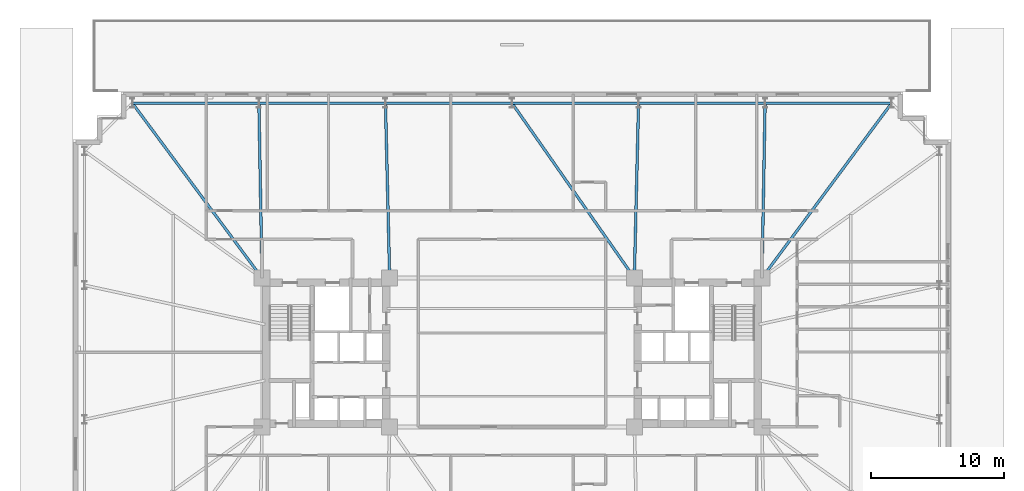
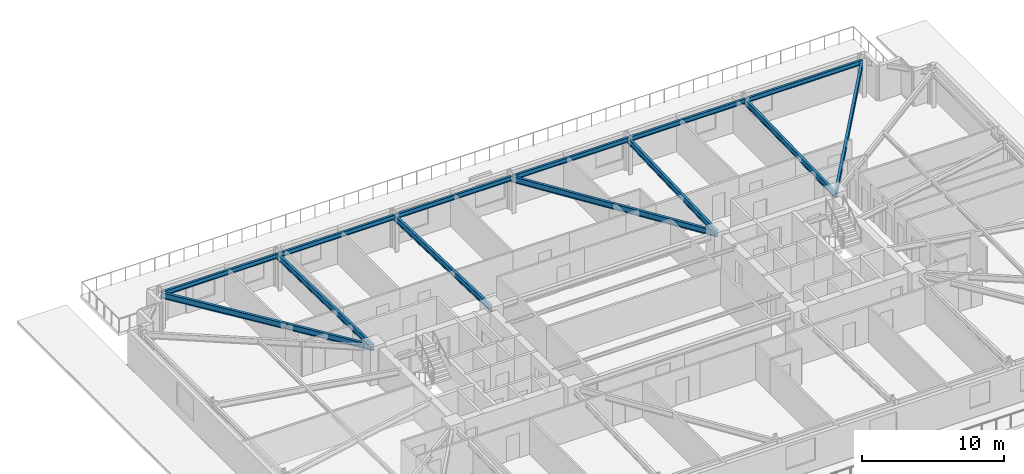
# One storey, part 7 of 21: 13 beams.
"""IFC4 building model written with IfcOpenShell, lengths in metres."""

from ifc_helpers import new_model, si_unit, direction, frame, origin, origin_2d, place, context, subcontext, project, spatial, i_section, extrude, material, material_profile, profile_set, type_object, element, save


model = new_model("IFC4")

# Units and contexts
model_context = context("Model", 3, precision=1e-05, world=origin(), true_north=direction((0.0, 1.0)))
body_context = subcontext(model_context, "Body", "Model", "MODEL_VIEW")
ifc_project = project(units=[si_unit("LENGTHUNIT", "METRE"), si_unit("AREAUNIT", "SQUARE_METRE"), si_unit("VOLUMEUNIT", "CUBIC_METRE"), si_unit("PLANEANGLEUNIT", "RADIAN"), si_unit("MASSUNIT", "GRAM", prefix="KILO")], contexts=[model_context])

# Site, building, storey
site_placement = place(None, origin())
site = spatial("IfcSite", under=ifc_project, at=site_placement, CompositionType="ELEMENT")
building_placement = place(site_placement, origin())
building = spatial("IfcBuilding", under=site, at=building_placement, Name="Qobustan Lattice House", CompositionType="ELEMENT")
storey_placement = place(building_placement, frame((0.0, 0.0, 27.0)))
storey = spatial("IfcBuildingStorey", under=building, at=storey_placement, Name="L06", CompositionType="ELEMENT", Elevation=27.0)

# Beams
ifc_material_1 = material(Name="Steel S355", Category="steel")
ifc_material_profile_1 = material_profile(ifc_material_1, i_section(OverallWidth=0.199951171875, OverallDepth=0.5, WebThickness=0.01025390625, FlangeThickness=0.01611328125, FilletRadius=0.02099609375, at=origin_2d()), Name="IPE500")
ifc_profile_set_1 = profile_set([ifc_material_profile_1], Name="Steel S355")
beam_type_1 = type_object("IfcBeamType", Name="BM-FLG-IPE500", PredefinedType="USERDEFINED", material=ifc_profile_set_1)
beam_1_placement = place(storey_placement, frame((-28.53515625, 18.72998046875, 2.784912109375), z_axis=(0.5955916815, -0.803287338956, 0.0), x_axis=(0.803287338956, 0.5955916815, 0.0)))
element("IfcBeam", 1, at=beam_1_placement, inside=storey, type_object=beam_type_1, Name="L06 primary floor girder RAD-N7W", ObjectType="GIRDER", PredefinedType="USERDEFINED", context=body_context, shape_type="SweptSolid", body=[
    extrude(i_section(OverallWidth=0.199951171875, OverallDepth=0.5, WebThickness=0.01025390625, FlangeThickness=0.01611328125, FilletRadius=0.02099609375, at=origin_2d()), origin(), (0.0, 0.0, 1.0), 16.3203125),
])
beam_2_placement = place(storey_placement, frame((-19.032958984375, 18.72509765625, 2.784912109375), z_axis=(0.017757831607, -0.999842317276, 0.0), x_axis=(0.999842317276, 0.017757831607, 0.0)))
element("IfcBeam", 2, at=beam_2_placement, inside=storey, type_object=beam_type_1, Name="L06 primary floor girder RAD-N6", ObjectType="GIRDER", PredefinedType="USERDEFINED", context=body_context, shape_type="SweptSolid", body=[
    extrude(i_section(OverallWidth=0.199951171875, OverallDepth=0.5, WebThickness=0.01025390625, FlangeThickness=0.01611328125, FilletRadius=0.02099609375, at=origin_2d()), origin(), (0.0, 0.0, 1.0), 13.10205078125),
])
beam_3_placement = place(storey_placement, frame((-9.51611328125, 18.72509765625, 2.784912109375), z_axis=(0.024071445657, -0.999710240772, 0.0), x_axis=(0.999710240772, 0.024071445657, 0.0)))
element("IfcBeam", 3, at=beam_3_placement, inside=storey, type_object=beam_type_1, Name="L06 primary floor girder RAD-N5", ObjectType="GIRDER", PredefinedType="USERDEFINED", context=body_context, shape_type="SweptSolid", body=[
    extrude(i_section(OverallWidth=0.199951171875, OverallDepth=0.5, WebThickness=0.01025390625, FlangeThickness=0.01611328125, FilletRadius=0.02099609375, at=origin_2d()), origin(), (0.0, 0.0, 1.0), 13.10400390625),
])
beam_4_placement = place(storey_placement, frame((0.014404296875, 18.7294921875, 2.784912109375), z_axis=(0.57325954206, -0.819373844736, 0.0), x_axis=(0.819373844736, 0.57325954206, 0.0)))
element("IfcBeam", 4, at=beam_4_placement, inside=storey, type_object=beam_type_1, Name="L06 primary floor girder RAD-N4", ObjectType="GIRDER", PredefinedType="USERDEFINED", context=body_context, shape_type="SweptSolid", body=[
    extrude(i_section(OverallWidth=0.199951171875, OverallDepth=0.5, WebThickness=0.01025390625, FlangeThickness=0.01611328125, FilletRadius=0.02099609375, at=origin_2d()), origin(), (0.0, 0.0, 1.0), 15.998779296875),
])
beam_5_placement = place(storey_placement, frame((9.51611328125, 18.72509765625, 2.784912109375), z_axis=(-0.024071445657, -0.999710240772, 0.0), x_axis=(0.999710240772, -0.024071445657, 0.0)))
element("IfcBeam", 5, at=beam_5_placement, inside=storey, type_object=beam_type_1, Name="L06 primary floor girder RAD-N3", ObjectType="GIRDER", PredefinedType="USERDEFINED", context=body_context, shape_type="SweptSolid", body=[
    extrude(i_section(OverallWidth=0.199951171875, OverallDepth=0.5, WebThickness=0.01025390625, FlangeThickness=0.01611328125, FilletRadius=0.02099609375, at=origin_2d()), origin(), (0.0, 0.0, 1.0), 13.10400390625),
])
beam_6_placement = place(storey_placement, frame((19.032958984375, 18.72509765625, 2.784912109375), z_axis=(-0.017757831607, -0.999842317276, 0.0), x_axis=(0.999842317276, -0.017757831607, 0.0)))
element("IfcBeam", 6, at=beam_6_placement, inside=storey, type_object=beam_type_1, Name="L06 primary floor girder RAD-N2", ObjectType="GIRDER", PredefinedType="USERDEFINED", context=body_context, shape_type="SweptSolid", body=[
    extrude(i_section(OverallWidth=0.199951171875, OverallDepth=0.5, WebThickness=0.01025390625, FlangeThickness=0.01611328125, FilletRadius=0.02099609375, at=origin_2d()), origin(), (0.0, 0.0, 1.0), 13.10205078125),
])
beam_7_placement = place(storey_placement, frame((28.53515625, 18.72998046875, 2.784912109375), z_axis=(-0.5955916815, -0.803287338956, 0.0), x_axis=(0.803287338956, -0.5955916815, 0.0)))
element("IfcBeam", 7, at=beam_7_placement, inside=storey, type_object=beam_type_1, Name="L06 primary floor girder RAD-N1E", ObjectType="GIRDER", PredefinedType="USERDEFINED", context=body_context, shape_type="SweptSolid", body=[
    extrude(i_section(OverallWidth=0.199951171875, OverallDepth=0.5, WebThickness=0.01025390625, FlangeThickness=0.01611328125, FilletRadius=0.02099609375, at=origin_2d()), origin(), (0.0, 0.0, 1.0), 16.3203125),
])
ifc_material_2 = material(Name="Steel S355", Category="steel")
ifc_material_profile_2 = material_profile(ifc_material_2, i_section(OverallWidth=0.179931640625, OverallDepth=0.39990234375, WebThickness=0.008544921875, FlangeThickness=0.013427734375, FilletRadius=0.02099609375, at=origin_2d()), Name="IPE400")
ifc_profile_set_2 = profile_set([ifc_material_profile_2], Name="Steel S355")
beam_type_2 = type_object("IfcBeamType", Name="BM-SPD-IPE400", PredefinedType="SPANDREL", material=ifc_profile_set_2)
for number, where, z_axis, x_axis, name in (
    (8, (28.52490234375, 18.75, 2.8349609375), (-1.0, 0.0, 0.0), (0.0, -1.0, 0.0), "L06 perimeter spandrel N1-N2"),
    (9, (19.00830078125, 18.75, 2.8349609375), (-1.0, 0.0, 0.0), (0.0, -1.0, 0.0), "L06 perimeter spandrel N2-N3"),
):
    element("IfcBeam", number, at=place(storey_placement, frame(where, z_axis=z_axis, x_axis=x_axis)), inside=storey, type_object=beam_type_2, Name=name, PredefinedType="SPANDREL", context=body_context, shape_type="SweptSolid", body=[
        extrude(i_section(OverallWidth=0.179931640625, OverallDepth=0.39990234375, WebThickness=0.008544921875, FlangeThickness=0.013427734375, FilletRadius=0.02099609375, at=origin_2d()), origin(), (0.0, 0.0, 1.0), 9.466552734375),
    ])
for number, where, z_axis, x_axis, name in (
    (10, (9.49169921875, 18.75, 2.8349609375), (-1.0, 0.0, 0.0), (0.0, -1.0, 0.0), "L06 perimeter spandrel N3-N4"),
    (11, (-0.02490234375, 18.75, 2.8349609375), (-1.0, 0.0, 0.0), (0.0, -1.0, 0.0), "L06 perimeter spandrel N4-N5"),
):
    element("IfcBeam", number, at=place(storey_placement, frame(where, z_axis=z_axis, x_axis=x_axis)), inside=storey, type_object=beam_type_2, Name=name, PredefinedType="SPANDREL", context=body_context, shape_type="SweptSolid", body=[
        extrude(i_section(OverallWidth=0.179931640625, OverallDepth=0.39990234375, WebThickness=0.008544921875, FlangeThickness=0.013427734375, FilletRadius=0.02099609375, at=origin_2d()), origin(), (0.0, 0.0, 1.0), 9.466796875),
    ])
for number, where, z_axis, x_axis, name in (
    (12, (-9.541748046875, 18.75, 2.8349609375), (-1.0, 0.0, 0.0), (0.0, -1.0, 0.0), "L06 perimeter spandrel N5-N6"),
    (13, (-19.058349609375, 18.75, 2.8349609375), (-1.0, 0.0, 0.0), (0.0, -1.0, 0.0), "L06 perimeter spandrel N6-N7"),
):
    element("IfcBeam", number, at=place(storey_placement, frame(where, z_axis=z_axis, x_axis=x_axis)), inside=storey, type_object=beam_type_2, Name=name, PredefinedType="SPANDREL", context=body_context, shape_type="SweptSolid", body=[
        extrude(i_section(OverallWidth=0.179931640625, OverallDepth=0.39990234375, WebThickness=0.008544921875, FlangeThickness=0.013427734375, FilletRadius=0.02099609375, at=origin_2d()), origin(), (0.0, 0.0, 1.0), 9.466552734375),
    ])

save(model, "model.ifc")
